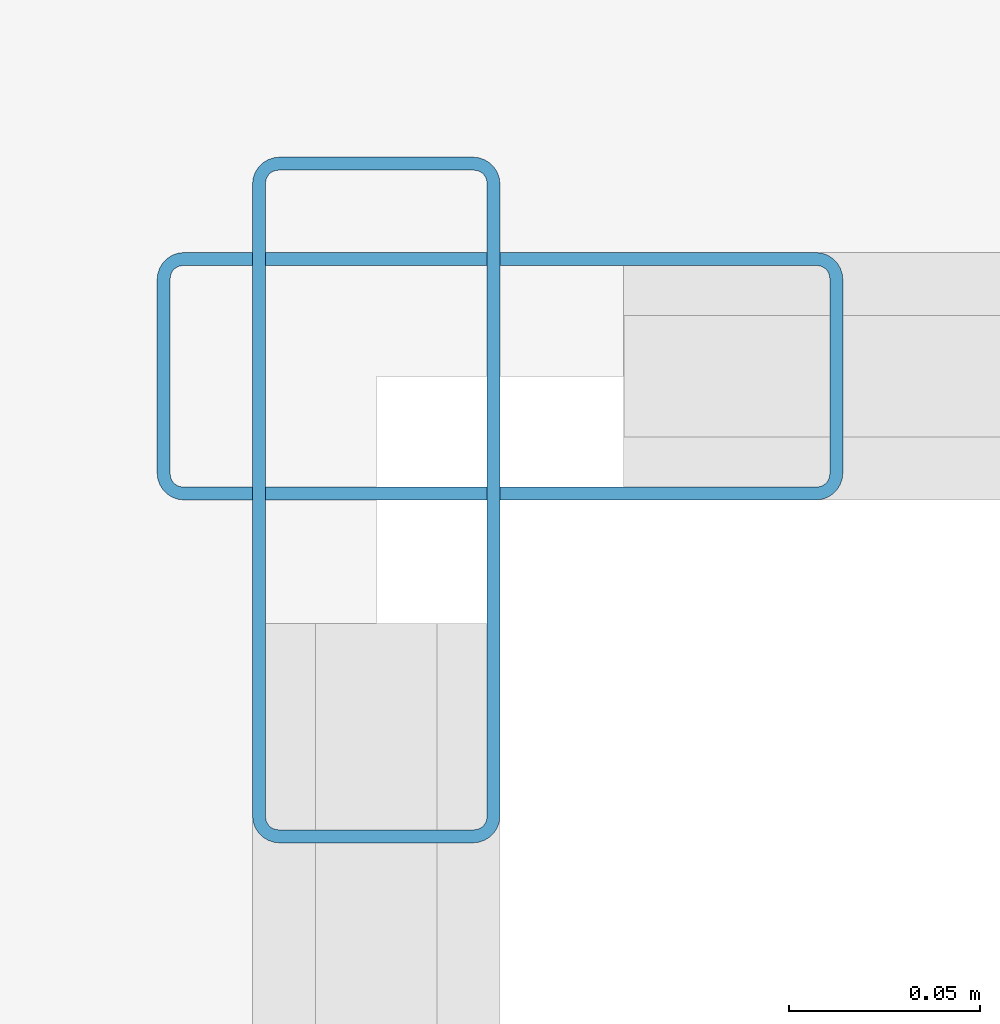
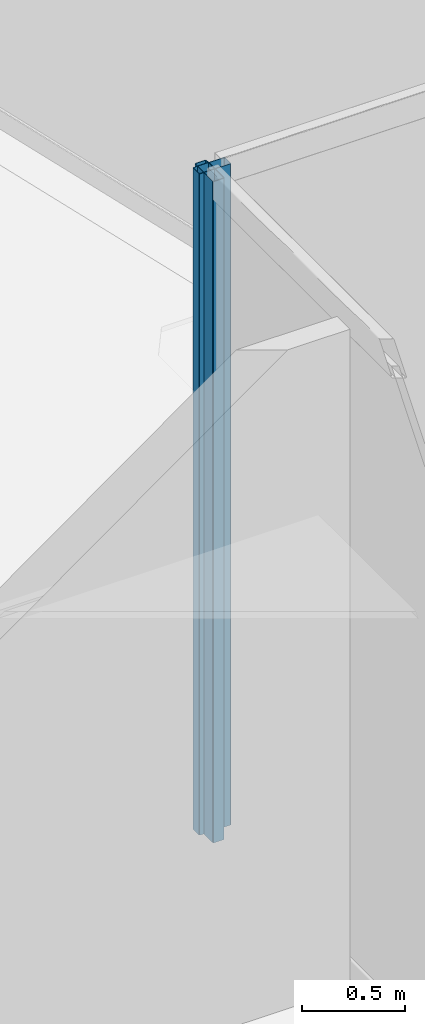
# One storey, part 20 of 46: 2 members, 2 elements without a shape of their own.
"""IFC4 building model written with IfcOpenShell, lengths in metres."""

import ifcopenshell
import ifcopenshell.guid

model = None  # the IFC model being written
_history = None  # IfcOwnerHistory: only IFC2X3 demands one
_inside = {}  # id of a spatial element -> (the spatial element, [elements in it])
_under = {}  # id of a project, library or spatial element -> (it, [spatial elements below it])
_declared = {}  # id of a project -> (the project, [libraries it declares])
_typed = {}  # id of a type object -> (the type object, [elements of that type])
_made_of = {}  # id of a material, layer set ... -> (it, [elements and type objects made of it])


def new_model(schema):
    """Start an empty IFC model of exactly this schema.

    Asked for "IFC4X3", IfcOpenShell would pick the latest addendum, in which some entities
    have other attributes; the version numbers below select the first issue.
    IFC2X3 requires an IfcOwnerHistory on every rooted entity: one is made here for all.
    """
    global model, _history
    if schema == "IFC4X3":
        model = ifcopenshell.file(schema_version=(4, 3, 0, 0))
    else:
        model = ifcopenshell.file(schema=schema)
    _inside.clear()
    _under.clear()
    _declared.clear()
    _typed.clear()
    _made_of.clear()
    _history = None
    if model.schema == "IFC2X3":
        org = make("IfcOrganization", Name="unknown")
        user = make(
            "IfcPersonAndOrganization",
            ThePerson=make("IfcPerson", FamilyName="unknown"),
            TheOrganization=org,
        )
        app = make(
            "IfcApplication",
            ApplicationDeveloper=org,
            Version="unknown",
            ApplicationFullName="unknown",
            ApplicationIdentifier="unknown",
        )
        _history = make(
            "IfcOwnerHistory",
            OwningUser=user,
            OwningApplication=app,
            ChangeAction="ADDED",
            CreationDate=0,
        )
    return model


def make(cls, **values):
    """One entity of the class cls with the attributes given. An attribute that is None is left unset."""
    return model.create_entity(
        cls, **{name: value for name, value in values.items() if value is not None}
    )


def rooted(cls, **values):
    """An entity with a GlobalId (a new one), such as an element, a storey or a relation."""
    return make(cls, GlobalId=ifcopenshell.guid.new(), OwnerHistory=_history, **values)


def si_unit(unit_type, name, prefix=None):
    """IfcSIUnit, for example si_unit("LENGTHUNIT", "METRE", prefix="MILLI")."""
    return make("IfcSIUnit", UnitType=unit_type, Prefix=prefix, Name=name)


def assignment(units):
    """IfcUnitAssignment: the units of a project."""
    return None if units is None else make("IfcUnitAssignment", Units=units)


def point(xyz):
    """IfcCartesianPoint."""
    return None if xyz is None else make("IfcCartesianPoint", Coordinates=xyz)


def direction(xyz):
    """IfcDirection."""
    return None if xyz is None else make("IfcDirection", DirectionRatios=xyz)


def frame(location, z_axis=None, x_axis=None):
    """IfcAxis2Placement3D, a coordinate frame: its origin and axes. An axis left out is left unset."""
    return make(
        "IfcAxis2Placement3D",
        Location=point(location),
        Axis=direction(z_axis),
        RefDirection=direction(x_axis),
    )


def frame_2d(location, x_axis=None):
    """IfcAxis2Placement2D, a coordinate frame in the plane: its origin and x axis."""
    return make(
        "IfcAxis2Placement2D", Location=point(location), RefDirection=direction(x_axis)
    )


def origin():
    """The frame at (0, 0, 0) with its axes left unset."""
    return frame((0.0, 0.0, 0.0))


def origin_2d():
    """The frame at (0, 0) in the plane with its x axis left unset."""
    return frame_2d((0.0, 0.0))


def place(relative_to, where):
    """IfcLocalPlacement: puts the frame where relative to a parent placement (None: the world)."""
    return make(
        "IfcLocalPlacement", PlacementRelTo=relative_to, RelativePlacement=where
    )


def context(
    kind, dimensions, precision=None, world=None, true_north=None, identifier=None
):
    """IfcGeometricRepresentationContext, for example the 3D "Model" context."""
    return make(
        "IfcGeometricRepresentationContext",
        ContextIdentifier=identifier,
        ContextType=kind,
        CoordinateSpaceDimension=dimensions,
        Precision=precision,
        WorldCoordinateSystem=world,
        TrueNorth=true_north,
    )


def subcontext(parent, identifier, kind, view, scale=None):
    """IfcGeometricRepresentationSubContext, for example "Body" below "Model"."""
    return make(
        "IfcGeometricRepresentationSubContext",
        ContextIdentifier=identifier,
        ContextType=kind,
        ParentContext=parent,
        TargetScale=scale,
        TargetView=view,
    )


def project(units=None, contexts=None):
    """IfcProject with its units and contexts."""
    return rooted(
        "IfcProject",
        Name="project",
        RepresentationContexts=contexts,
        UnitsInContext=assignment(units),
    )


def spatial(cls, under=None, at=None, **own):
    """A site, building, storey or space (cls), placed at a placement, below another one or the project."""
    s = rooted(cls, ObjectPlacement=at, **own)
    if under is not None:
        _under.setdefault(under.id(), (under, []))[1].append(s)
    return s


def profile(cls, at=None, kind="AREA", **sizes):
    """A parametric profile (cls). Its sizes go by their IFC names, for example OverallWidth=200.0."""
    return make(cls, ProfileType=kind, Position=at, **sizes)


def hollow_rectangle(**sizes):
    """IfcRectangleHollowProfileDef."""
    return profile("IfcRectangleHollowProfileDef", **sizes)


def extrude(swept, where, along, depth):
    """IfcExtrudedAreaSolid: the profile swept, set in the frame where, extruded along a direction by depth."""
    return make(
        "IfcExtrudedAreaSolid",
        SweptArea=swept,
        Position=where,
        ExtrudedDirection=direction(along),
        Depth=depth,
    )


def shape(context_of_items, identifier, shape_type, items):
    """IfcShapeRepresentation: the items that make up one representation, for example the "Body"."""
    return make(
        "IfcShapeRepresentation",
        ContextOfItems=context_of_items,
        RepresentationIdentifier=identifier,
        RepresentationType=shape_type,
        Items=items,
    )


def material(Name=None, Category=None):
    """IfcMaterial."""
    return make("IfcMaterial", Name=Name, Category=Category)


def layer(
    of_material, thickness, ventilated=None, Name=None, Category=None, Priority=None
):
    """IfcMaterialLayer: one layer of a wall or slab, of a material (None: an air gap)."""
    return make(
        "IfcMaterialLayer",
        Material=of_material,
        LayerThickness=thickness,
        IsVentilated=ventilated,
        Name=Name,
        Category=Category,
        Priority=Priority,
    )


def layer_set(layers, Name=None):
    """IfcMaterialLayerSet."""
    return make("IfcMaterialLayerSet", MaterialLayers=layers, LayerSetName=Name)


def material_profile(
    of_material, cross_section, Name=None, Category=None, Priority=None
):
    """IfcMaterialProfile: a cross section and its material."""
    return make(
        "IfcMaterialProfile",
        Name=Name,
        Material=of_material,
        Profile=cross_section,
        Priority=Priority,
        Category=Category,
    )


def profile_set(profiles, Name=None, composite=None):
    """IfcMaterialProfileSet."""
    return make(
        "IfcMaterialProfileSet",
        Name=Name,
        MaterialProfiles=profiles,
        CompositeProfile=composite,
    )


def made_of(thing, what):
    """Note that an element or type object is made of a material, layer set ...; save() writes the relation."""
    if what is not None:
        _made_of.setdefault(what.id(), (what, []))[1].append(thing)
    return thing


def type_object(cls, material=None, **own):
    """A type object (cls), such as IfcWallType, which elements share."""
    return made_of(rooted(cls, **own), material)


def element(
    cls,
    number,
    at=None,
    inside=None,
    cuts=None,
    type_object=None,
    material=None,
    context=None,
    identifier="Body",
    shape_type=None,
    held_by="IfcProductDefinitionShape",
    body=None,
    shapes=None,
    **own,
):
    """One element of the class cls, such as IfcWall. Its Tag is "e" and its number.

    at: its placement. inside: the storey or other place that contains it. cuts: it is an
    opening in that element (IfcRelVoidsElement). A single representation is given by context,
    identifier, shape_type and body (its items); several are given by shapes. held_by: the class
    of the entity that holds the representations. save() writes the other relations.
    """
    e = rooted(cls, Tag="e%d" % number, ObjectPlacement=at, **own)
    if body is not None:
        shapes = [shape(context, identifier, shape_type, body)]
    if shapes is not None:
        e.Representation = make(held_by, Representations=shapes)
    if inside is not None:
        _inside.setdefault(inside.id(), (inside, []))[1].append(e)
    if cuts is not None:
        rooted(
            "IfcRelVoidsElement", RelatingBuildingElement=cuts, RelatedOpeningElement=e
        )
    if type_object is not None:
        _typed.setdefault(type_object.id(), (type_object, []))[1].append(e)
    return made_of(e, material)


def aggregate(whole, parts):
    """IfcRelAggregates: a whole, such as a stair, and the parts it consists of."""
    return rooted("IfcRelAggregates", RelatingObject=whole, RelatedObjects=parts)


def save(model, path):
    """Write the relations noted so far, then the file.

    IfcRelAggregates (storeys below a building ...), IfcRelContainedInSpatialStructure (elements
    in a storey), IfcRelDefinesByType, IfcRelAssociatesMaterial and IfcRelDeclares: one each for
    every whole, place, type object, material and project.
    """
    for whole, parts in _under.values():
        aggregate(whole, parts)
    for where, things in _inside.values():
        rooted(
            "IfcRelContainedInSpatialStructure",
            RelatedElements=things,
            RelatingStructure=where,
        )
    for kind, things in _typed.values():
        rooted("IfcRelDefinesByType", RelatedObjects=things, RelatingType=kind)
    for what, things in _made_of.values():
        rooted("IfcRelAssociatesMaterial", RelatedObjects=things, RelatingMaterial=what)
    for by, libraries in _declared.values():
        rooted("IfcRelDeclares", RelatingContext=by, RelatedDefinitions=libraries)
    model.write(path)


model = new_model("IFC4")

# Units and contexts
model_context = context("Model", 3, precision=1e-05, world=origin(), true_north=direction((0.0, 1.0)))
body_context = subcontext(model_context, "Body", "Model", "MODEL_VIEW")
ifc_project = project(units=[si_unit("LENGTHUNIT", "METRE"), si_unit("AREAUNIT", "SQUARE_METRE"), si_unit("VOLUMEUNIT", "CUBIC_METRE"), si_unit("PLANEANGLEUNIT", "RADIAN"), si_unit("MASSUNIT", "GRAM", prefix="KILO")], contexts=[model_context])

# Site, building, storey
site_placement = place(None, origin())
site = spatial("IfcSite", under=ifc_project, at=site_placement, CompositionType="ELEMENT")
building_placement = place(site_placement, origin())
building = spatial("IfcBuilding", under=site, at=building_placement, Name="Qorvath Tower", CompositionType="ELEMENT")
storey_placement = place(building_placement, frame((0.0, 0.0, 87.0)))
storey = spatial("IfcBuildingStorey", under=building, at=storey_placement, Name="L19", CompositionType="ELEMENT", Elevation=87.0)

# Curtain wall, member
ifc_material_1 = material(Name="Anodised aluminium and triple low-E glass", Category="aluminium")
ifc_layer = layer(ifc_material_1, 0.179931640625)
ifc_layer_set = layer_set([ifc_layer], Name="CW-SYS-2")
curtain_wall_type = type_object("IfcCurtainWallType", Name="CW-SYS-2", PredefinedType="NOTDEFINED", material=ifc_layer_set)
curtain_wall_1_placement = place(storey_placement, origin())
curtain_wall_1 = element("IfcCurtainWall", 1, at=curtain_wall_1_placement, inside=storey, type_object=curtain_wall_type, Name="Curtain Wall CW-2 CW-T-L19-9.1", PredefinedType="NOTDEFINED")
ifc_material_2 = material(Name="Anodised aluminium 6063-T6", Category="aluminium")
ifc_material_profile = material_profile(ifc_material_2, hollow_rectangle(XDim=0.06494140625, YDim=0.179931640625, WallThickness=0.00341796875, InnerFilletRadius=0.00341796875, OuterFilletRadius=0.007080078125, at=origin_2d()), Name="CWM 180x65")
ifc_profile_set = profile_set([ifc_material_profile], Name="Anodised aluminium 6063-T6")
member_type = type_object("IfcMemberType", Name="CWM-180", PredefinedType="MULLION", material=ifc_profile_set)
member_1_placement = place(storey_placement, frame((2.43408203125, 5.1083984375, 0.0), z_axis=(0.0, 0.0, 1.0), x_axis=(-1.0, 0.0, 0.0)))
member_1 = element("IfcMember", 2, at=member_1_placement, type_object=member_type, Name="CW-2 mullion 3", PredefinedType="MULLION", context=body_context, shape_type="SweptSolid", body=[
    extrude(hollow_rectangle(XDim=0.06494140625, YDim=0.179931640625, WallThickness=0.00341796875, InnerFilletRadius=0.00341796875, OuterFilletRadius=0.007080078125, at=origin_2d()), origin(), (0.0, 0.0, 1.0), 3.919921875),
])
aggregate(curtain_wall_1, [member_1])

curtain_wall_2_placement = place(storey_placement, origin())
curtain_wall_2 = element("IfcCurtainWall", 3, at=curtain_wall_2_placement, inside=storey, type_object=curtain_wall_type, Name="Curtain Wall CW-2 CW-T-L19-10.1", PredefinedType="NOTDEFINED")
member_2_placement = place(storey_placement, frame((2.466552734375, 5.140869140625, 0.0), z_axis=(0.0, 0.0, 1.0), x_axis=(0.0, 1.0, 0.0)))
member_2 = element("IfcMember", 4, at=member_2_placement, type_object=member_type, Name="CW-2 mullion 1", PredefinedType="MULLION", context=body_context, shape_type="SweptSolid", body=[
    extrude(hollow_rectangle(XDim=0.06494140625, YDim=0.179931640625, WallThickness=0.00341796875, InnerFilletRadius=0.00341796875, OuterFilletRadius=0.007080078125, at=origin_2d()), origin(), (0.0, 0.0, 1.0), 3.919921875),
])
aggregate(curtain_wall_2, [member_2])

save(model, "model.ifc")
